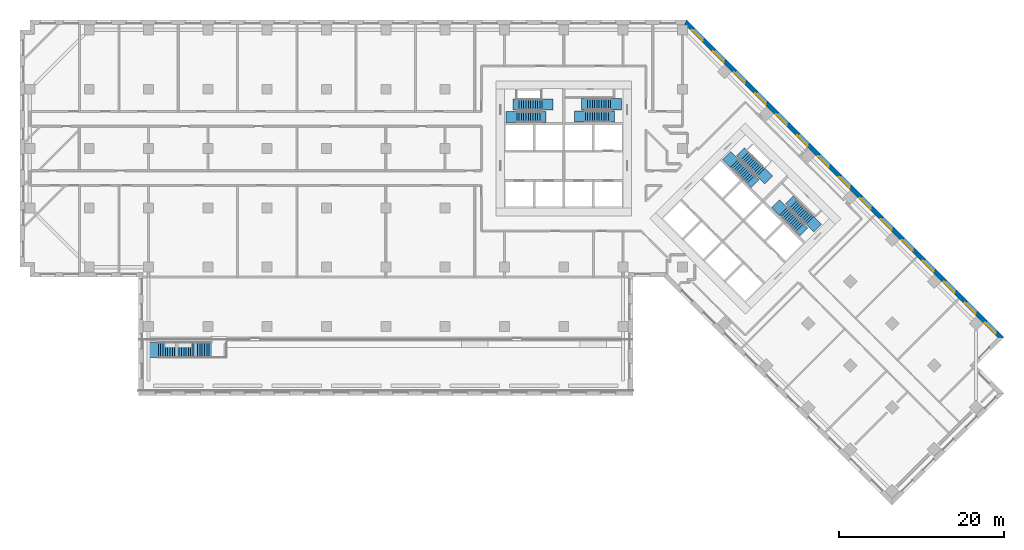
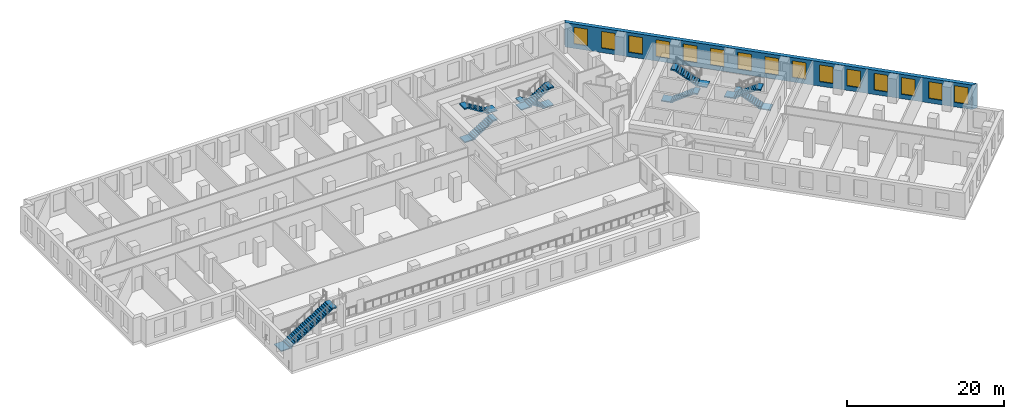
# One storey, part 10 of 13: 15 windows, 9 stair flights, 1 wall, 15 openings, 5 elements without a shape of their own.
"""IFC4 building model written with IfcOpenShell, lengths in metres."""

from ifc_helpers import new_model, si_unit, direction, frame, frame_2d, origin, place, context, subcontext, project, spatial, polyline, rectangle, outline, extrude, material, layer, layer_set, type_object, element, fill, aggregate, save


model = new_model("IFC4")

# Units and contexts
model_context = context("Model", 3, precision=1e-05, world=origin(), true_north=direction((0.0, 1.0)))
body_context = subcontext(model_context, "Body", "Model", "MODEL_VIEW")
ifc_project = project(units=[si_unit("LENGTHUNIT", "METRE"), si_unit("AREAUNIT", "SQUARE_METRE"), si_unit("VOLUMEUNIT", "CUBIC_METRE"), si_unit("PLANEANGLEUNIT", "RADIAN"), si_unit("MASSUNIT", "GRAM", prefix="KILO")], contexts=[model_context])

# Site, building, storey
site_placement = place(None, origin())
site = spatial("IfcSite", under=ifc_project, at=site_placement, CompositionType="ELEMENT")
building_placement = place(site_placement, origin())
building = spatial("IfcBuilding", under=site, at=building_placement, Name="Windrow Commons", CompositionType="ELEMENT")
storey_placement = place(building_placement, frame((0.0, 0.0, 14.4)))
storey = spatial("IfcBuildingStorey", under=building, at=storey_placement, Name="L03", CompositionType="ELEMENT", Elevation=14.4)

# Wall, openings, windows
ifc_material_1 = material(Name="Brick masonry, red clay brick", Category="masonry")
ifc_layer = layer(ifc_material_1, 0.55)
ifc_layer_set = layer_set([ifc_layer], Name="Brick facade wall 550")
wall_type = type_object("IfcWallType", Name="Brick facade wall 550", PredefinedType="SOLIDWALL", material=ifc_layer_set)
wall_placement = place(storey_placement, frame((117.8434, 34.6648, 0.0), z_axis=(0.0, 0.0, 1.0), x_axis=(-0.7071067812, 0.7071067812, 0.0)))
wall = element("IfcWall", 1, at=wall_placement, inside=storey, type_object=wall_type, Name="Brick facade wall L03 4", PredefinedType="SOLIDWALL", context=body_context, shape_type="SweptSolid", body=[
    extrude(outline(polyline([(-0.275, -0.275), (54.222, -0.275), (53.9942, 0.275), (0.275, 0.275), (-0.275, -0.275)])), origin(), (0.0, 0.0, 1.0), 3.8),
])
opening_1_placement = place(wall_placement, frame((0.8, 0.0, 0.7)))
opening_1 = element("IfcOpeningElement", 2, at=opening_1_placement, cuts=wall, Name="Opening W2", PredefinedType="OPENING", context=body_context, shape_type="SweptSolid", body=[
    extrude(rectangle(XDim=1.8, YDim=2.6, at=frame_2d((0.9, 1.3))), frame((0.0, 0.285, 0.0), z_axis=(0.0, -1.0, 0.0), x_axis=(1.0, 0.0, 0.0)), (0.0, 0.0, 1.0), 0.57),
])
opening_2_placement = place(wall_placement, frame((4.225, 0.0, 0.7)))
opening_2 = element("IfcOpeningElement", 3, at=opening_2_placement, cuts=wall, Name="Opening W2", PredefinedType="OPENING", context=body_context, shape_type="SweptSolid", body=[
    extrude(rectangle(XDim=1.8, YDim=2.6, at=frame_2d((0.9, 1.3))), frame((0.0, 0.285, 0.0), z_axis=(0.0, -1.0, 0.0), x_axis=(1.0, 0.0, 0.0)), (0.0, 0.0, 1.0), 0.57),
])
opening_3_placement = place(wall_placement, frame((7.825, 0.0, 0.7)))
opening_3 = element("IfcOpeningElement", 4, at=opening_3_placement, cuts=wall, Name="Opening W2", PredefinedType="OPENING", context=body_context, shape_type="SweptSolid", body=[
    extrude(rectangle(XDim=1.8, YDim=2.6, at=frame_2d((0.9, 1.3))), frame((0.0, 0.285, 0.0), z_axis=(0.0, -1.0, 0.0), x_axis=(1.0, 0.0, 0.0)), (0.0, 0.0, 1.0), 0.57),
])
opening_4_placement = place(wall_placement, frame((11.425, 0.0, 0.7)))
opening_4 = element("IfcOpeningElement", 5, at=opening_4_placement, cuts=wall, Name="Opening W2", PredefinedType="OPENING", context=body_context, shape_type="SweptSolid", body=[
    extrude(rectangle(XDim=1.8, YDim=2.6, at=frame_2d((0.9, 1.3))), frame((0.0, 0.285, 0.0), z_axis=(0.0, -1.0, 0.0), x_axis=(1.0, 0.0, 0.0)), (0.0, 0.0, 1.0), 0.57),
])
opening_5_placement = place(wall_placement, frame((15.025, 0.0, 0.7)))
opening_5 = element("IfcOpeningElement", 6, at=opening_5_placement, cuts=wall, Name="Opening W2", PredefinedType="OPENING", context=body_context, shape_type="SweptSolid", body=[
    extrude(rectangle(XDim=1.8, YDim=2.6, at=frame_2d((0.9, 1.3))), frame((0.0, 0.285, 0.0), z_axis=(0.0, -1.0, 0.0), x_axis=(1.0, 0.0, 0.0)), (0.0, 0.0, 1.0), 0.57),
])
opening_6_placement = place(wall_placement, frame((18.625, 0.0, 0.7)))
opening_6 = element("IfcOpeningElement", 7, at=opening_6_placement, cuts=wall, Name="Opening W2", PredefinedType="OPENING", context=body_context, shape_type="SweptSolid", body=[
    extrude(rectangle(XDim=1.8, YDim=2.6, at=frame_2d((0.9, 1.3))), frame((0.0, 0.285, 0.0), z_axis=(0.0, -1.0, 0.0), x_axis=(1.0, 0.0, 0.0)), (0.0, 0.0, 1.0), 0.57),
])
opening_7_placement = place(wall_placement, frame((22.225, 0.0, 0.7)))
opening_7 = element("IfcOpeningElement", 8, at=opening_7_placement, cuts=wall, Name="Opening W2", PredefinedType="OPENING", context=body_context, shape_type="SweptSolid", body=[
    extrude(rectangle(XDim=1.8, YDim=2.6, at=frame_2d((0.9, 1.3))), frame((0.0, 0.285, 0.0), z_axis=(0.0, -1.0, 0.0), x_axis=(1.0, 0.0, 0.0)), (0.0, 0.0, 1.0), 0.57),
])
opening_8_placement = place(wall_placement, frame((25.825, 0.0, 0.7)))
opening_8 = element("IfcOpeningElement", 9, at=opening_8_placement, cuts=wall, Name="Opening W2", PredefinedType="OPENING", context=body_context, shape_type="SweptSolid", body=[
    extrude(rectangle(XDim=1.8, YDim=2.6, at=frame_2d((0.9, 1.3))), frame((0.0, 0.285, 0.0), z_axis=(0.0, -1.0, 0.0), x_axis=(1.0, 0.0, 0.0)), (0.0, 0.0, 1.0), 0.57),
])
opening_9_placement = place(wall_placement, frame((29.425, 0.0, 0.7)))
opening_9 = element("IfcOpeningElement", 10, at=opening_9_placement, cuts=wall, Name="Opening W2", PredefinedType="OPENING", context=body_context, shape_type="SweptSolid", body=[
    extrude(rectangle(XDim=1.8, YDim=2.6, at=frame_2d((0.9, 1.3))), frame((0.0, 0.285, 0.0), z_axis=(0.0, -1.0, 0.0), x_axis=(1.0, 0.0, 0.0)), (0.0, 0.0, 1.0), 0.57),
])
opening_10_placement = place(wall_placement, frame((33.025, 0.0, 0.7)))
opening_10 = element("IfcOpeningElement", 11, at=opening_10_placement, cuts=wall, Name="Opening W2", PredefinedType="OPENING", context=body_context, shape_type="SweptSolid", body=[
    extrude(rectangle(XDim=1.8, YDim=2.6, at=frame_2d((0.9, 1.3))), frame((0.0, 0.285, 0.0), z_axis=(0.0, -1.0, 0.0), x_axis=(1.0, 0.0, 0.0)), (0.0, 0.0, 1.0), 0.57),
])
opening_11_placement = place(wall_placement, frame((36.625, 0.0, 0.7)))
opening_11 = element("IfcOpeningElement", 12, at=opening_11_placement, cuts=wall, Name="Opening W2", PredefinedType="OPENING", context=body_context, shape_type="SweptSolid", body=[
    extrude(rectangle(XDim=1.8, YDim=2.6, at=frame_2d((0.9, 1.3))), frame((0.0, 0.285, 0.0), z_axis=(0.0, -1.0, 0.0), x_axis=(1.0, 0.0, 0.0)), (0.0, 0.0, 1.0), 0.57),
])
opening_12_placement = place(wall_placement, frame((40.225, 0.0, 0.7)))
opening_12 = element("IfcOpeningElement", 13, at=opening_12_placement, cuts=wall, Name="Opening W2", PredefinedType="OPENING", context=body_context, shape_type="SweptSolid", body=[
    extrude(rectangle(XDim=1.8, YDim=2.6, at=frame_2d((0.9, 1.3))), frame((0.0, 0.285, 0.0), z_axis=(0.0, -1.0, 0.0), x_axis=(1.0, 0.0, 0.0)), (0.0, 0.0, 1.0), 0.57),
])
opening_13_placement = place(wall_placement, frame((43.825, 0.0, 0.7)))
opening_13 = element("IfcOpeningElement", 14, at=opening_13_placement, cuts=wall, Name="Opening W2", PredefinedType="OPENING", context=body_context, shape_type="SweptSolid", body=[
    extrude(rectangle(XDim=1.8, YDim=2.6, at=frame_2d((0.9, 1.3))), frame((0.0, 0.285, 0.0), z_axis=(0.0, -1.0, 0.0), x_axis=(1.0, 0.0, 0.0)), (0.0, 0.0, 1.0), 0.57),
])
opening_14_placement = place(wall_placement, frame((47.425, 0.0, 0.7)))
opening_14 = element("IfcOpeningElement", 15, at=opening_14_placement, cuts=wall, Name="Opening W2", PredefinedType="OPENING", context=body_context, shape_type="SweptSolid", body=[
    extrude(rectangle(XDim=1.8, YDim=2.6, at=frame_2d((0.9, 1.3))), frame((0.0, 0.285, 0.0), z_axis=(0.0, -1.0, 0.0), x_axis=(1.0, 0.0, 0.0)), (0.0, 0.0, 1.0), 0.57),
])
opening_15_placement = place(wall_placement, frame((51.0596, 0.0, 0.7)))
opening_15 = element("IfcOpeningElement", 16, at=opening_15_placement, cuts=wall, Name="Opening W2", PredefinedType="OPENING", context=body_context, shape_type="SweptSolid", body=[
    extrude(rectangle(XDim=1.8, YDim=2.6, at=frame_2d((0.9, 1.3))), frame((0.0, 0.285, 0.0), z_axis=(0.0, -1.0, 0.0), x_axis=(1.0, 0.0, 0.0)), (0.0, 0.0, 1.0), 0.57),
])
ifc_material_2 = material(Name="Clear float glass in anodised aluminium frame", Category="aluminium")
window_type = type_object("IfcWindowType", Name="Window W2 podium 1800x2600", PartitioningType="SINGLE_PANEL", PredefinedType="WINDOW", material=ifc_material_2)
window_1_placement = place(opening_1_placement, origin())
window_1 = element("IfcWindow", 17, at=window_1_placement, inside=storey, type_object=window_type, Name="Window L03 4.1", OverallHeight=2.6, OverallWidth=1.8, PartitioningType="SINGLE_PANEL", PredefinedType="WINDOW", context=body_context, shape_type="SweptSolid", body=[
    extrude(rectangle(XDim=1.8, YDim=2.6, at=frame_2d((0.9, 1.3))), frame((0.0, 0.155, 0.0), z_axis=(0.0, -1.0, 0.0), x_axis=(1.0, 0.0, 0.0)), (0.0, 0.0, 1.0), 0.06),
])
fill(opening_1, window_1)
window_2_placement = place(opening_2_placement, origin())
window_2 = element("IfcWindow", 18, at=window_2_placement, inside=storey, type_object=window_type, Name="Window L03 4.2", OverallHeight=2.6, OverallWidth=1.8, PartitioningType="SINGLE_PANEL", PredefinedType="WINDOW", context=body_context, shape_type="SweptSolid", body=[
    extrude(rectangle(XDim=1.8, YDim=2.6, at=frame_2d((0.9, 1.3))), frame((0.0, 0.155, 0.0), z_axis=(0.0, -1.0, 0.0), x_axis=(1.0, 0.0, 0.0)), (0.0, 0.0, 1.0), 0.06),
])
fill(opening_2, window_2)
window_3_placement = place(opening_3_placement, origin())
window_3 = element("IfcWindow", 19, at=window_3_placement, inside=storey, type_object=window_type, Name="Window L03 4.3", OverallHeight=2.6, OverallWidth=1.8, PartitioningType="SINGLE_PANEL", PredefinedType="WINDOW", context=body_context, shape_type="SweptSolid", body=[
    extrude(rectangle(XDim=1.8, YDim=2.6, at=frame_2d((0.9, 1.3))), frame((0.0, 0.155, 0.0), z_axis=(0.0, -1.0, 0.0), x_axis=(1.0, 0.0, 0.0)), (0.0, 0.0, 1.0), 0.06),
])
fill(opening_3, window_3)
window_4_placement = place(opening_4_placement, origin())
window_4 = element("IfcWindow", 20, at=window_4_placement, inside=storey, type_object=window_type, Name="Window L03 4.4", OverallHeight=2.6, OverallWidth=1.8, PartitioningType="SINGLE_PANEL", PredefinedType="WINDOW", context=body_context, shape_type="SweptSolid", body=[
    extrude(rectangle(XDim=1.8, YDim=2.6, at=frame_2d((0.9, 1.3))), frame((0.0, 0.155, 0.0), z_axis=(0.0, -1.0, 0.0), x_axis=(1.0, 0.0, 0.0)), (0.0, 0.0, 1.0), 0.06),
])
fill(opening_4, window_4)
window_5_placement = place(opening_5_placement, origin())
window_5 = element("IfcWindow", 21, at=window_5_placement, inside=storey, type_object=window_type, Name="Window L03 4.5", OverallHeight=2.6, OverallWidth=1.8, PartitioningType="SINGLE_PANEL", PredefinedType="WINDOW", context=body_context, shape_type="SweptSolid", body=[
    extrude(rectangle(XDim=1.8, YDim=2.6, at=frame_2d((0.9, 1.3))), frame((0.0, 0.155, 0.0), z_axis=(0.0, -1.0, 0.0), x_axis=(1.0, 0.0, 0.0)), (0.0, 0.0, 1.0), 0.06),
])
fill(opening_5, window_5)
window_6_placement = place(opening_6_placement, origin())
window_6 = element("IfcWindow", 22, at=window_6_placement, inside=storey, type_object=window_type, Name="Window L03 4.6", OverallHeight=2.6, OverallWidth=1.8, PartitioningType="SINGLE_PANEL", PredefinedType="WINDOW", context=body_context, shape_type="SweptSolid", body=[
    extrude(rectangle(XDim=1.8, YDim=2.6, at=frame_2d((0.9, 1.3))), frame((0.0, 0.155, 0.0), z_axis=(0.0, -1.0, 0.0), x_axis=(1.0, 0.0, 0.0)), (0.0, 0.0, 1.0), 0.06),
])
fill(opening_6, window_6)
window_7_placement = place(opening_7_placement, origin())
window_7 = element("IfcWindow", 23, at=window_7_placement, inside=storey, type_object=window_type, Name="Window L03 4.7", OverallHeight=2.6, OverallWidth=1.8, PartitioningType="SINGLE_PANEL", PredefinedType="WINDOW", context=body_context, shape_type="SweptSolid", body=[
    extrude(rectangle(XDim=1.8, YDim=2.6, at=frame_2d((0.9, 1.3))), frame((0.0, 0.155, 0.0), z_axis=(0.0, -1.0, 0.0), x_axis=(1.0, 0.0, 0.0)), (0.0, 0.0, 1.0), 0.06),
])
fill(opening_7, window_7)
window_8_placement = place(opening_8_placement, origin())
window_8 = element("IfcWindow", 24, at=window_8_placement, inside=storey, type_object=window_type, Name="Window L03 4.8", OverallHeight=2.6, OverallWidth=1.8, PartitioningType="SINGLE_PANEL", PredefinedType="WINDOW", context=body_context, shape_type="SweptSolid", body=[
    extrude(rectangle(XDim=1.8, YDim=2.6, at=frame_2d((0.9, 1.3))), frame((0.0, 0.155, 0.0), z_axis=(0.0, -1.0, 0.0), x_axis=(1.0, 0.0, 0.0)), (0.0, 0.0, 1.0), 0.06),
])
fill(opening_8, window_8)
window_9_placement = place(opening_9_placement, origin())
window_9 = element("IfcWindow", 25, at=window_9_placement, inside=storey, type_object=window_type, Name="Window L03 4.9", OverallHeight=2.6, OverallWidth=1.8, PartitioningType="SINGLE_PANEL", PredefinedType="WINDOW", context=body_context, shape_type="SweptSolid", body=[
    extrude(rectangle(XDim=1.8, YDim=2.6, at=frame_2d((0.9, 1.3))), frame((0.0, 0.155, 0.0), z_axis=(0.0, -1.0, 0.0), x_axis=(1.0, 0.0, 0.0)), (0.0, 0.0, 1.0), 0.06),
])
fill(opening_9, window_9)
window_10_placement = place(opening_10_placement, origin())
window_10 = element("IfcWindow", 26, at=window_10_placement, inside=storey, type_object=window_type, Name="Window L03 4.10", OverallHeight=2.6, OverallWidth=1.8, PartitioningType="SINGLE_PANEL", PredefinedType="WINDOW", context=body_context, shape_type="SweptSolid", body=[
    extrude(rectangle(XDim=1.8, YDim=2.6, at=frame_2d((0.9, 1.3))), frame((0.0, 0.155, 0.0), z_axis=(0.0, -1.0, 0.0), x_axis=(1.0, 0.0, 0.0)), (0.0, 0.0, 1.0), 0.06),
])
fill(opening_10, window_10)
window_11_placement = place(opening_11_placement, origin())
window_11 = element("IfcWindow", 27, at=window_11_placement, inside=storey, type_object=window_type, Name="Window L03 4.11", OverallHeight=2.6, OverallWidth=1.8, PartitioningType="SINGLE_PANEL", PredefinedType="WINDOW", context=body_context, shape_type="SweptSolid", body=[
    extrude(rectangle(XDim=1.8, YDim=2.6, at=frame_2d((0.9, 1.3))), frame((0.0, 0.155, 0.0), z_axis=(0.0, -1.0, 0.0), x_axis=(1.0, 0.0, 0.0)), (0.0, 0.0, 1.0), 0.06),
])
fill(opening_11, window_11)
window_12_placement = place(opening_12_placement, origin())
window_12 = element("IfcWindow", 28, at=window_12_placement, inside=storey, type_object=window_type, Name="Window L03 4.12", OverallHeight=2.6, OverallWidth=1.8, PartitioningType="SINGLE_PANEL", PredefinedType="WINDOW", context=body_context, shape_type="SweptSolid", body=[
    extrude(rectangle(XDim=1.8, YDim=2.6, at=frame_2d((0.9, 1.3))), frame((0.0, 0.155, 0.0), z_axis=(0.0, -1.0, 0.0), x_axis=(1.0, 0.0, 0.0)), (0.0, 0.0, 1.0), 0.06),
])
fill(opening_12, window_12)
window_13_placement = place(opening_13_placement, origin())
window_13 = element("IfcWindow", 29, at=window_13_placement, inside=storey, type_object=window_type, Name="Window L03 4.13", OverallHeight=2.6, OverallWidth=1.8, PartitioningType="SINGLE_PANEL", PredefinedType="WINDOW", context=body_context, shape_type="SweptSolid", body=[
    extrude(rectangle(XDim=1.8, YDim=2.6, at=frame_2d((0.9, 1.3))), frame((0.0, 0.155, 0.0), z_axis=(0.0, -1.0, 0.0), x_axis=(1.0, 0.0, 0.0)), (0.0, 0.0, 1.0), 0.06),
])
fill(opening_13, window_13)
window_14_placement = place(opening_14_placement, origin())
window_14 = element("IfcWindow", 30, at=window_14_placement, inside=storey, type_object=window_type, Name="Window L03 4.14", OverallHeight=2.6, OverallWidth=1.8, PartitioningType="SINGLE_PANEL", PredefinedType="WINDOW", context=body_context, shape_type="SweptSolid", body=[
    extrude(rectangle(XDim=1.8, YDim=2.6, at=frame_2d((0.9, 1.3))), frame((0.0, 0.155, 0.0), z_axis=(0.0, -1.0, 0.0), x_axis=(1.0, 0.0, 0.0)), (0.0, 0.0, 1.0), 0.06),
])
fill(opening_14, window_14)
window_15_placement = place(opening_15_placement, origin())
window_15 = element("IfcWindow", 31, at=window_15_placement, inside=storey, type_object=window_type, Name="Window L03 4.15", OverallHeight=2.6, OverallWidth=1.8, PartitioningType="SINGLE_PANEL", PredefinedType="WINDOW", context=body_context, shape_type="SweptSolid", body=[
    extrude(rectangle(XDim=1.8, YDim=2.6, at=frame_2d((0.9, 1.3))), frame((0.0, 0.155, 0.0), z_axis=(0.0, -1.0, 0.0), x_axis=(1.0, 0.0, 0.0)), (0.0, 0.0, 1.0), 0.06),
])
fill(opening_15, window_15)

# Stair, stair flights
ifc_material_3 = material(Name="Concrete C40/50", Category="concrete")
stair_type_1 = type_object("IfcStairType", Name="Core stair", PredefinedType="HALF_TURN_STAIR", material=ifc_material_3)
placement = place(storey_placement, origin())
stair_1 = element("IfcStair", 32, at=placement, inside=storey, type_object=stair_type_1, Name="L03 Exit stair A1 core A", PredefinedType="HALF_TURN_STAIR")
ifc_material_4 = material(Name="Concrete C40/50", Category="concrete")
stair_flight_type_1 = type_object("IfcStairFlightType", Name="Core stair flight", PredefinedType="STRAIGHT", material=ifc_material_4)
stair_flight_1_placement = place(storey_placement, frame((59.1, 61.425, 0.0), z_axis=(0.0, 0.0, 1.0), x_axis=(1.0, 0.0, 0.0)))
stair_flight_1 = element("IfcStairFlight", 33, at=stair_flight_1_placement, type_object=stair_flight_type_1, Name="ST-A1 flight 1", NumberOfRisers=12, NumberOfTreads=11, PredefinedType="STRAIGHT", RiserHeight=0.175, TreadLength=0.28, context=body_context, shape_type="SweptSolid", body=[
    extrude(outline(polyline([(-1.3, -0.15), (-1.3, 0.0), (0.0, 0.0), (0.0, 0.175), (0.28, 0.175), (0.28, 0.35), (0.56, 0.35), (0.56, 0.525), (0.84, 0.525), (0.84, 0.7), (1.12, 0.7), (1.12, 0.875), (1.4, 0.875), (1.4, 1.05), (1.68, 1.05), (1.68, 1.225), (1.96, 1.225), (1.96, 1.4), (2.24, 1.4), (2.24, 1.575), (2.52, 1.575), (2.52, 1.75), (2.8, 1.75), (2.8, 1.925), (3.08, 1.925), (3.53, 1.925), (3.53, 1.725), (3.08, 1.725), (3.08, 1.7481), (0.283, 0.0), (0.283, -0.15), (-1.3, -0.15)])), frame((0.0, 0.675, 0.0), z_axis=(0.0, -1.0, 0.0), x_axis=(1.0, 0.0, 0.0)), (0.0, 0.0, 1.0), 1.35),
])
stair_flight_2_placement = place(storey_placement, frame((62.18, 62.925, 2.1), z_axis=(0.0, 0.0, 1.0), x_axis=(-1.0, 0.0, 0.0)))
stair_flight_2 = element("IfcStairFlight", 34, at=stair_flight_2_placement, type_object=stair_flight_type_1, Name="ST-A1 flight 2", NumberOfRisers=12, NumberOfTreads=11, PredefinedType="STRAIGHT", RiserHeight=0.175, TreadLength=0.28, context=body_context, shape_type="SweptSolid", body=[
    extrude(outline(polyline([(-1.3, -0.15), (-1.3, 0.0), (0.0, 0.0), (0.0, 0.175), (0.28, 0.175), (0.28, 0.35), (0.56, 0.35), (0.56, 0.525), (0.84, 0.525), (0.84, 0.7), (1.12, 0.7), (1.12, 0.875), (1.4, 0.875), (1.4, 1.05), (1.68, 1.05), (1.68, 1.225), (1.96, 1.225), (1.96, 1.4), (2.24, 1.4), (2.24, 1.575), (2.52, 1.575), (2.52, 1.75), (2.8, 1.75), (2.8, 1.925), (3.08, 1.925), (3.53, 1.925), (3.53, 1.725), (3.08, 1.725), (3.08, 1.7481), (0.283, 0.0), (0.283, -0.15), (-1.3, -0.15)])), frame((0.0, 0.675, 0.0), z_axis=(0.0, -1.0, 0.0), x_axis=(1.0, 0.0, 0.0)), (0.0, 0.0, 1.0), 1.35),
])
aggregate(stair_1, [stair_flight_1, stair_flight_2])

stair_2 = element("IfcStair", 35, at=placement, inside=storey, type_object=stair_type_1, Name="L03 Exit stair A2 core A", PredefinedType="HALF_TURN_STAIR")
stair_flight_3_placement = place(storey_placement, frame((70.5, 62.98, 0.0), z_axis=(0.0, 0.0, 1.0), x_axis=(-1.0, 0.0, 0.0)))
stair_flight_3 = element("IfcStairFlight", 36, at=stair_flight_3_placement, type_object=stair_flight_type_1, Name="ST-A2 flight 1", NumberOfRisers=12, NumberOfTreads=11, PredefinedType="STRAIGHT", RiserHeight=0.175, TreadLength=0.28, context=body_context, shape_type="SweptSolid", body=[
    extrude(outline(polyline([(-1.3, -0.15), (-1.3, 0.0), (0.0, 0.0), (0.0, 0.175), (0.28, 0.175), (0.28, 0.35), (0.56, 0.35), (0.56, 0.525), (0.84, 0.525), (0.84, 0.7), (1.12, 0.7), (1.12, 0.875), (1.4, 0.875), (1.4, 1.05), (1.68, 1.05), (1.68, 1.225), (1.96, 1.225), (1.96, 1.4), (2.24, 1.4), (2.24, 1.575), (2.52, 1.575), (2.52, 1.75), (2.8, 1.75), (2.8, 1.925), (3.08, 1.925), (3.53, 1.925), (3.53, 1.725), (3.08, 1.725), (3.08, 1.7481), (0.283, 0.0), (0.283, -0.15), (-1.3, -0.15)])), frame((0.0, 0.675, 0.0), z_axis=(0.0, -1.0, 0.0), x_axis=(1.0, 0.0, 0.0)), (0.0, 0.0, 1.0), 1.35),
])
stair_flight_4_placement = place(storey_placement, frame((67.42, 61.48, 2.1), z_axis=(0.0, 0.0, 1.0), x_axis=(1.0, 0.0, 0.0)))
stair_flight_4 = element("IfcStairFlight", 37, at=stair_flight_4_placement, type_object=stair_flight_type_1, Name="ST-A2 flight 2", NumberOfRisers=12, NumberOfTreads=11, PredefinedType="STRAIGHT", RiserHeight=0.175, TreadLength=0.28, context=body_context, shape_type="SweptSolid", body=[
    extrude(outline(polyline([(-1.3, -0.15), (-1.3, 0.0), (0.0, 0.0), (0.0, 0.175), (0.28, 0.175), (0.28, 0.35), (0.56, 0.35), (0.56, 0.525), (0.84, 0.525), (0.84, 0.7), (1.12, 0.7), (1.12, 0.875), (1.4, 0.875), (1.4, 1.05), (1.68, 1.05), (1.68, 1.225), (1.96, 1.225), (1.96, 1.4), (2.24, 1.4), (2.24, 1.575), (2.52, 1.575), (2.52, 1.75), (2.8, 1.75), (2.8, 1.925), (3.08, 1.925), (3.53, 1.925), (3.53, 1.725), (3.08, 1.725), (3.08, 1.7481), (0.283, 0.0), (0.283, -0.15), (-1.3, -0.15)])), frame((0.0, 0.675, 0.0), z_axis=(0.0, -1.0, 0.0), x_axis=(1.0, 0.0, 0.0)), (0.0, 0.0, 1.0), 1.35),
])
aggregate(stair_2, [stair_flight_3, stair_flight_4])

stair_3 = element("IfcStair", 38, at=placement, inside=storey, type_object=stair_type_1, Name="L03 Exit stair B1 core B", PredefinedType="HALF_TURN_STAIR")
stair_flight_5_placement = place(storey_placement, frame((85.5109, 55.8249, 0.0), z_axis=(0.0, 0.0, 1.0), x_axis=(0.7071067812, -0.7071067812, 0.0)))
stair_flight_5 = element("IfcStairFlight", 39, at=stair_flight_5_placement, type_object=stair_flight_type_1, Name="ST-B1 flight 1", NumberOfRisers=12, NumberOfTreads=11, PredefinedType="STRAIGHT", RiserHeight=0.175, TreadLength=0.28, context=body_context, shape_type="SweptSolid", body=[
    extrude(outline(polyline([(-1.3, -0.15), (-1.3, 0.0), (0.0, 0.0), (0.0, 0.175), (0.28, 0.175), (0.28, 0.35), (0.56, 0.35), (0.56, 0.525), (0.84, 0.525), (0.84, 0.7), (1.12, 0.7), (1.12, 0.875), (1.4, 0.875), (1.4, 1.05), (1.68, 1.05), (1.68, 1.225), (1.96, 1.225), (1.96, 1.4), (2.24, 1.4), (2.24, 1.575), (2.52, 1.575), (2.52, 1.75), (2.8, 1.75), (2.8, 1.925), (3.08, 1.925), (3.53, 1.925), (3.53, 1.725), (3.08, 1.725), (3.08, 1.7481), (0.283, 0.0), (0.283, -0.15), (-1.3, -0.15)])), frame((0.0, 0.675, 0.0), z_axis=(0.0, -1.0, 0.0), x_axis=(1.0, 0.0, 0.0)), (0.0, 0.0, 1.0), 1.35),
])
stair_flight_6_placement = place(storey_placement, frame((88.7495, 54.7077, 2.1), z_axis=(0.0, 0.0, 1.0), x_axis=(-0.7071067812, 0.7071067812, 0.0)))
stair_flight_6 = element("IfcStairFlight", 40, at=stair_flight_6_placement, type_object=stair_flight_type_1, Name="ST-B1 flight 2", NumberOfRisers=12, NumberOfTreads=11, PredefinedType="STRAIGHT", RiserHeight=0.175, TreadLength=0.28, context=body_context, shape_type="SweptSolid", body=[
    extrude(outline(polyline([(-1.3, -0.15), (-1.3, 0.0), (0.0, 0.0), (0.0, 0.175), (0.28, 0.175), (0.28, 0.35), (0.56, 0.35), (0.56, 0.525), (0.84, 0.525), (0.84, 0.7), (1.12, 0.7), (1.12, 0.875), (1.4, 0.875), (1.4, 1.05), (1.68, 1.05), (1.68, 1.225), (1.96, 1.225), (1.96, 1.4), (2.24, 1.4), (2.24, 1.575), (2.52, 1.575), (2.52, 1.75), (2.8, 1.75), (2.8, 1.925), (3.08, 1.925), (3.53, 1.925), (3.53, 1.725), (3.08, 1.725), (3.08, 1.7481), (0.283, 0.0), (0.283, -0.15), (-1.3, -0.15)])), frame((0.0, 0.675, 0.0), z_axis=(0.0, -1.0, 0.0), x_axis=(1.0, 0.0, 0.0)), (0.0, 0.0, 1.0), 1.35),
])
aggregate(stair_3, [stair_flight_5, stair_flight_6])

stair_4 = element("IfcStair", 41, at=placement, inside=storey, type_object=stair_type_1, Name="L03 Exit stair B2 core B", PredefinedType="HALF_TURN_STAIR")
stair_flight_7_placement = place(storey_placement, frame((94.6715, 48.8635, 0.0), z_axis=(0.0, 0.0, 1.0), x_axis=(-0.7071067812, 0.7071067812, 0.0)))
stair_flight_7 = element("IfcStairFlight", 42, at=stair_flight_7_placement, type_object=stair_flight_type_1, Name="ST-B2 flight 1", NumberOfRisers=12, NumberOfTreads=11, PredefinedType="STRAIGHT", RiserHeight=0.175, TreadLength=0.28, context=body_context, shape_type="SweptSolid", body=[
    extrude(outline(polyline([(-1.3, -0.15), (-1.3, 0.0), (0.0, 0.0), (0.0, 0.175), (0.28, 0.175), (0.28, 0.35), (0.56, 0.35), (0.56, 0.525), (0.84, 0.525), (0.84, 0.7), (1.12, 0.7), (1.12, 0.875), (1.4, 0.875), (1.4, 1.05), (1.68, 1.05), (1.68, 1.225), (1.96, 1.225), (1.96, 1.4), (2.24, 1.4), (2.24, 1.575), (2.52, 1.575), (2.52, 1.75), (2.8, 1.75), (2.8, 1.925), (3.08, 1.925), (3.53, 1.925), (3.53, 1.725), (3.08, 1.725), (3.08, 1.7481), (0.283, 0.0), (0.283, -0.15), (-1.3, -0.15)])), frame((0.0, 0.675, 0.0), z_axis=(0.0, -1.0, 0.0), x_axis=(1.0, 0.0, 0.0)), (0.0, 0.0, 1.0), 1.35),
])
stair_flight_8_placement = place(storey_placement, frame((91.4329, 49.9807, 2.1), z_axis=(0.0, 0.0, 1.0), x_axis=(0.7071067812, -0.7071067812, 0.0)))
stair_flight_8 = element("IfcStairFlight", 43, at=stair_flight_8_placement, type_object=stair_flight_type_1, Name="ST-B2 flight 2", NumberOfRisers=12, NumberOfTreads=11, PredefinedType="STRAIGHT", RiserHeight=0.175, TreadLength=0.28, context=body_context, shape_type="SweptSolid", body=[
    extrude(outline(polyline([(-1.3, -0.15), (-1.3, 0.0), (0.0, 0.0), (0.0, 0.175), (0.28, 0.175), (0.28, 0.35), (0.56, 0.35), (0.56, 0.525), (0.84, 0.525), (0.84, 0.7), (1.12, 0.7), (1.12, 0.875), (1.4, 0.875), (1.4, 1.05), (1.68, 1.05), (1.68, 1.225), (1.96, 1.225), (1.96, 1.4), (2.24, 1.4), (2.24, 1.575), (2.52, 1.575), (2.52, 1.75), (2.8, 1.75), (2.8, 1.925), (3.08, 1.925), (3.53, 1.925), (3.53, 1.725), (3.08, 1.725), (3.08, 1.7481), (0.283, 0.0), (0.283, -0.15), (-1.3, -0.15)])), frame((0.0, 0.675, 0.0), z_axis=(0.0, -1.0, 0.0), x_axis=(1.0, 0.0, 0.0)), (0.0, 0.0, 1.0), 1.35),
])
aggregate(stair_4, [stair_flight_7, stair_flight_8])

# Stair, stair flight
ifc_material_5 = material(Name="Concrete C40/50", Category="concrete")
stair_type_2 = type_object("IfcStairType", Name="Terrace public stair", PredefinedType="STRAIGHT_RUN_STAIR", material=ifc_material_5)
stair_5 = element("IfcStair", 44, at=placement, inside=storey, type_object=stair_type_2, Name="Public stair L03 to L04", PredefinedType="STRAIGHT_RUN_STAIR")
ifc_material_6 = material(Name="Concrete C40/50", Category="concrete")
stair_flight_type_2 = type_object("IfcStairFlightType", Name="Terrace public stair flight", PredefinedType="STRAIGHT", material=ifc_material_6)
stair_flight_9_placement = place(storey_placement, frame((15.6, 33.15, 0.0), z_axis=(0.0, 0.0, 1.0), x_axis=(1.0, 0.0, 0.0)))
stair_flight_9 = element("IfcStairFlight", 45, at=stair_flight_9_placement, type_object=stair_flight_type_2, Name="TST flight 1", NumberOfRisers=24, NumberOfTreads=23, PredefinedType="STRAIGHT", RiserHeight=0.175, TreadLength=0.28, context=body_context, shape_type="SweptSolid", body=[
    extrude(outline(polyline([(-1.3, -0.15), (-1.3, 0.0), (0.0, 0.0), (0.0, 0.175), (0.28, 0.175), (0.28, 0.35), (0.56, 0.35), (0.56, 0.525), (0.84, 0.525), (0.84, 0.7), (1.12, 0.7), (1.12, 0.875), (1.4, 0.875), (1.4, 1.05), (1.68, 1.05), (1.68, 1.225), (1.96, 1.225), (1.96, 1.4), (2.24, 1.4), (2.24, 1.575), (2.52, 1.575), (2.52, 1.75), (2.8, 1.75), (2.8, 1.925), (3.08, 1.925), (3.08, 2.1), (3.36, 2.1), (3.36, 2.275), (3.64, 2.275), (3.64, 2.45), (3.92, 2.45), (3.92, 2.625), (4.2, 2.625), (4.2, 2.8), (4.48, 2.8), (4.48, 2.975), (4.76, 2.975), (4.76, 3.15), (5.04, 3.15), (5.04, 3.325), (5.32, 3.325), (5.32, 3.5), (5.6, 3.5), (5.6, 3.675), (5.88, 3.675), (5.88, 3.85), (6.16, 3.85), (6.16, 4.025), (6.44, 4.025), (6.89, 4.025), (6.89, 3.825), (6.44, 3.825), (6.44, 3.8481), (0.283, 0.0), (0.283, -0.15), (-1.3, -0.15)])), frame((0.0, 0.9, 0.0), z_axis=(0.0, -1.0, 0.0), x_axis=(1.0, 0.0, 0.0)), (0.0, 0.0, 1.0), 1.8),
])
aggregate(stair_5, [stair_flight_9])

save(model, "model.ifc")
